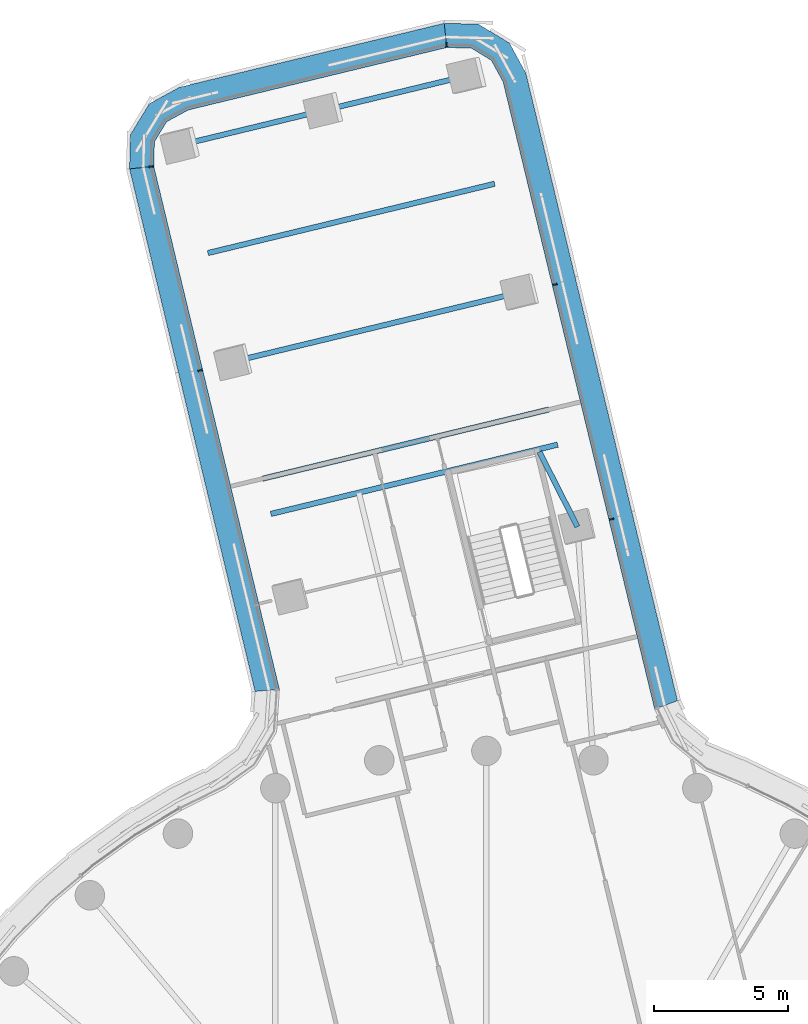
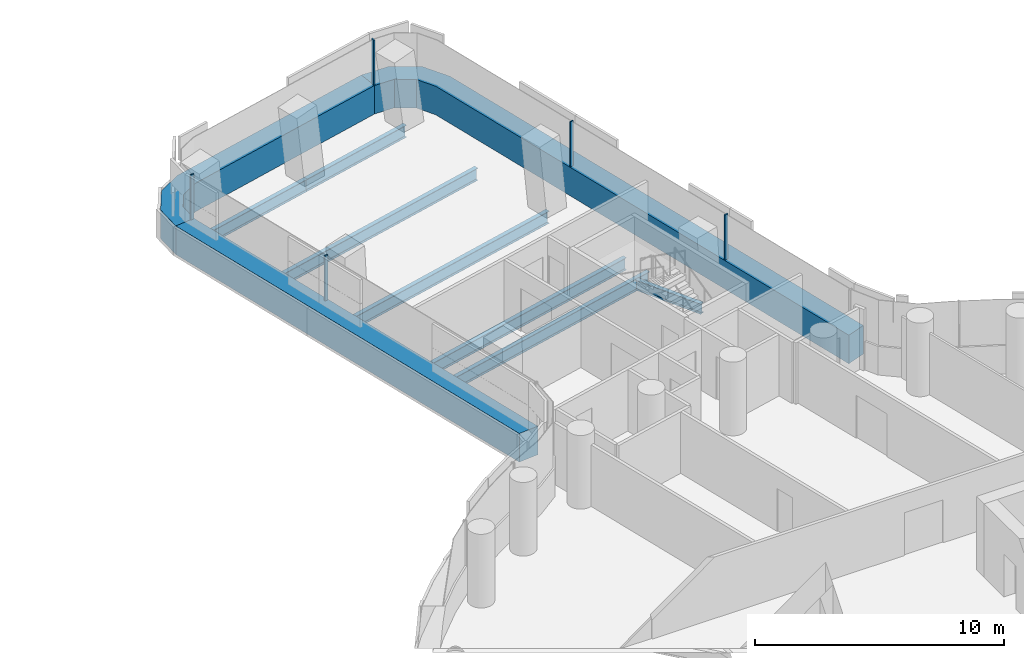
# One storey, part 15 of 33: 8 members, 7 beams, 3 elements without a shape of their own.
"""IFC4 building model written with IfcOpenShell, lengths in metres."""

from ifc_helpers import new_model, si_unit, direction, frame, origin, origin_2d, place, context, subcontext, project, spatial, polyline, rectangle, i_section, outline, extrude, material, layer, layer_set, material_profile, profile_set, type_object, element, aggregate, save


model = new_model("IFC4")

# Units and contexts
model_context = context("Model", 3, precision=1e-05, world=origin(), true_north=direction((0.0, 1.0)))
body_context = subcontext(model_context, "Body", "Model", "MODEL_VIEW")
ifc_project = project(units=[si_unit("LENGTHUNIT", "METRE"), si_unit("AREAUNIT", "SQUARE_METRE"), si_unit("VOLUMEUNIT", "CUBIC_METRE"), si_unit("PLANEANGLEUNIT", "RADIAN"), si_unit("MASSUNIT", "GRAM", prefix="KILO")], contexts=[model_context])

# Site, building, storey
site_placement = place(None, origin())
site = spatial("IfcSite", under=ifc_project, at=site_placement, CompositionType="ELEMENT")
building_placement = place(site_placement, origin())
building = spatial("IfcBuilding", under=site, at=building_placement, Name="Tamarind Cross Interchange Tower", CompositionType="ELEMENT")
storey_placement = place(building_placement, frame((0.0, 0.0, 83.5)))
storey = spatial("IfcBuildingStorey", under=building, at=storey_placement, Name="L19", CompositionType="ELEMENT", Elevation=83.5)

# Beams
ifc_material_1 = material(Name="Steel Q355B", Category="steel")
ifc_material_profile_1 = material_profile(ifc_material_1, i_section(OverallWidth=0.198974609375, OverallDepth=0.49609375, WebThickness=0.009033203125, FlangeThickness=0.013916015625, FilletRadius=0.012939453125, at=origin_2d()), Name="HN 496x199x9x14")
ifc_profile_set_1 = profile_set([ifc_material_profile_1], Name="Steel Q355B")
beam_type_1 = type_object("IfcBeamType", Name="Composite beam HN 496x199x9x14 Q355B", PredefinedType="BEAM", material=ifc_profile_set_1)
beam_placement = place(storey_placement, frame((3.39697265625, 31.359619140625, -0.387939453125), z_axis=(-0.453581930705, 0.891214582543, 0.0), x_axis=(-0.891214582543, -0.453581930705, 0.0)))
element("IfcBeam", 1, at=beam_placement, inside=storey, type_object=beam_type_1, Name="Beam N-tr0", PredefinedType="BEAM", context=body_context, shape_type="SweptSolid", body=[
    extrude(i_section(OverallWidth=0.198974609375, OverallDepth=0.49609375, WebThickness=0.009033203125, FlangeThickness=0.013916015625, FilletRadius=0.012939453125, at=origin_2d()), origin(), (0.0, 0.0, 1.0), 3.137939453125),
])
ifc_material_profile_2 = material_profile(ifc_material_1, i_section(OverallWidth=0.199951171875, OverallDepth=0.60009765625, WebThickness=0.010986328125, FlangeThickness=0.01708984375, FilletRadius=0.012939453125, at=origin_2d()), Name="HN 600x200x11x17")
ifc_profile_set_2 = profile_set([ifc_material_profile_2], Name="Steel Q355B")
beam_type_2 = type_object("IfcBeamType", Name="Composite beam HN 600x200x11x17 Q355B", PredefinedType="BEAM", material=ifc_profile_set_2)
for number, where, z_axis, x_axis, name in (
    (2, (-0.668701171875, 48.187744140625, -0.43994140625), (-0.972038899902, -0.234819882203, 0.0), (0.234819882203, -0.972038899902, 0.0), "Beam N-tip0"),
    (3, (-6.014892578125, 46.896240234375, -0.43994140625), (-0.972028767044, -0.234861823291, 0.0), (0.234861823291, -0.972028767044, 0.0), "Beam N-tip1"),
):
    element("IfcBeam", number, at=place(storey_placement, frame(where, z_axis=z_axis, x_axis=x_axis)), inside=storey, type_object=beam_type_2, Name=name, PredefinedType="BEAM", context=body_context, shape_type="SweptSolid", body=[
        extrude(i_section(OverallWidth=0.199951171875, OverallDepth=0.60009765625, WebThickness=0.010986328125, FlangeThickness=0.01708984375, FilletRadius=0.012939453125, at=origin_2d()), origin(), (0.0, 0.0, 1.0), 5.5),
    ])
for number, where, z_axis, x_axis, name in (
    (4, (2.6572265625, 34.42138671875, -0.43994140625), (-0.972033833672, -0.234840852911, 0.0), (0.234840852911, -0.972033833672, 0.0), "Beam N-x334"),
    (5, (1.283447265625, 40.10791015625, -0.43994140625), (-0.972028767044, -0.234861823291, 0.0), (0.234861823291, -0.972028767044, 0.0), "Beam N-x393"),
    (6, (2.340087890625, 35.733642578125, -0.43994140625), (-0.972033833672, -0.234840852911, 0.0), (0.234840852911, -0.972033833672, 0.0), "Beam N-x348"),
    (7, (0.307373046875, 44.147705078125, -0.43994140625), (-0.972033833672, -0.234840852911, 0.0), (0.234840852911, -0.972033833672, 0.0), "Beam N-x435"),
):
    element("IfcBeam", number, at=place(storey_placement, frame(where, z_axis=z_axis, x_axis=x_axis)), inside=storey, type_object=beam_type_2, Name=name, PredefinedType="BEAM", context=body_context, shape_type="SweptSolid", body=[
        extrude(i_section(OverallWidth=0.199951171875, OverallDepth=0.60009765625, WebThickness=0.010986328125, FlangeThickness=0.01708984375, FilletRadius=0.012939453125, at=origin_2d()), origin(), (0.0, 0.0, 1.0), 11.0),
    ])

# Curtain wall, member
ifc_material_2 = material(Name="Aluminium 6063-T6", Category="aluminium")
ifc_layer = layer(ifc_material_2, 0.159912109375)
ifc_layer_set = layer_set([ifc_layer], Name="Aluminium 6063-T6")
curtain_wall_type = type_object("IfcCurtainWallType", Name="Office curtain wall, 9.0 m bays", PredefinedType="NOTDEFINED", material=ifc_layer_set)
curtain_wall_1_placement = place(storey_placement, origin())
curtain_wall_1 = element("IfcCurtainWall", 8, at=curtain_wall_1_placement, inside=storey, type_object=curtain_wall_type, Name="CWS-L19-00", PredefinedType="NOTDEFINED")
ifc_material_3 = material(Name="Aluminium and insulated spandrel panel", Category="aluminium")
member_type_1 = type_object("IfcMemberType", Name="Floor-edge blade transom", PredefinedType="USERDEFINED", material=ifc_material_3)
member_1_placement = place(storey_placement, origin())
member_1 = element("IfcMember", 9, at=member_1_placement, type_object=member_type_1, Name="CWT-L19-00", ObjectType="TRANSOM", PredefinedType="USERDEFINED", context=body_context, shape_type="SweptSolid", body=[
    extrude(outline(polyline([(-1.474853515625, 49.2275390625), (-11.118408203125, 46.897705078125), (-11.92236328125, 46.459716796875), (-12.378173828125, 45.71337890625), (-12.40087890625, 44.798095703125), (-13.303466796875, 44.702392578125), (-13.27197265625, 45.976806640625), (-12.564697265625, 47.134521484375), (-11.445068359375, 47.74462890625), (-1.571044921875, 50.130126953125), (-1.474853515625, 49.2275390625)])), origin(), (0.0, 0.0, 1.0), 1.39990234375),
])

curtain_wall_2_placement = place(storey_placement, origin())
curtain_wall_2 = element("IfcCurtainWall", 10, at=curtain_wall_2_placement, inside=storey, type_object=curtain_wall_type, Name="CWS-L19-01", PredefinedType="NOTDEFINED")
member_2_placement = place(storey_placement, origin())
member_2 = element("IfcMember", 11, at=member_2_placement, type_object=member_type_1, Name="CWT-L19-01", ObjectType="TRANSOM", PredefinedType="USERDEFINED", context=body_context, shape_type="SweptSolid", body=[
    extrude(outline(polyline([(-12.40087890625, 44.798095703125), (-7.717041015625, 25.29736328125), (-8.6240234375, 25.22021484375), (-13.303466796875, 44.702392578125), (-12.40087890625, 44.798095703125)])), origin(), (0.0, 0.0, 1.0), 1.39990234375),
])

curtain_wall_3_placement = place(storey_placement, origin())
curtain_wall_3 = element("IfcCurtainWall", 12, at=curtain_wall_3_placement, inside=storey, type_object=curtain_wall_type, Name="CWS-L19-15", PredefinedType="NOTDEFINED")
member_3_placement = place(storey_placement, origin())
member_3 = element("IfcMember", 13, at=member_3_placement, type_object=member_type_1, Name="CWT-L19-15", ObjectType="TRANSOM", PredefinedType="USERDEFINED", context=body_context, shape_type="SweptSolid", body=[
    extrude(outline(polyline([(6.2734375, 24.56298828125), (0.62451171875, 47.945068359375), (0.1865234375, 48.7490234375), (-0.559814453125, 49.204833984375), (-1.474853515625, 49.2275390625), (-1.571044921875, 50.130126953125), (-0.29638671875, 50.0986328125), (0.861328125, 49.391357421875), (1.471435546875, 48.271728515625), (7.125244140625, 24.870361328125), (6.2734375, 24.56298828125)])), origin(), (0.0, 0.0, 1.0), 1.39990234375),
])

# Member
ifc_material_profile_3 = material_profile(ifc_material_2, rectangle(XDim=0.06005859375, YDim=0.159912109375, at=origin_2d()), Name="Mullion CW1")
ifc_profile_set_3 = profile_set([ifc_material_profile_3], Name="Aluminium 6063-T6")
member_type_2 = type_object("IfcMemberType", Name="Mullion CW1", PredefinedType="MULLION", material=ifc_profile_set_3)
member_4_placement = place(storey_placement, frame((-1.485595703125, 49.327880859375, 1.39990234375), z_axis=(0.0, 0.0, 1.0), x_axis=(-0.9943705392, -0.105958627638, 0.0)))
member_4 = element("IfcMember", 14, at=member_4_placement, type_object=member_type_2, Name="CWM-L19-00-00", PredefinedType="MULLION", context=body_context, shape_type="SweptSolid", body=[
    extrude(rectangle(XDim=0.06005859375, YDim=0.159912109375, at=origin_2d()), origin(), (0.0, 0.0, 1.0), 2.210205078125),
])

aggregate(curtain_wall_1, [member_4, member_1])

member_5_placement = place(storey_placement, frame((-12.501220703125, 44.787353515625, 1.39990234375), z_axis=(0.0, 0.0, 1.0), x_axis=(0.105294104386, -0.994441125247, 0.0)))
member_5 = element("IfcMember", 15, at=member_5_placement, type_object=member_type_2, Name="CWM-L19-01-00", PredefinedType="MULLION", context=body_context, shape_type="SweptSolid", body=[
    extrude(rectangle(XDim=0.06005859375, YDim=0.159912109375, at=origin_2d()), origin(), (0.0, 0.0, 1.0), 2.210205078125),
])

member_6_placement = place(storey_placement, frame((-10.67626953125, 37.189453125, 1.39990234375), z_axis=(0.0, 0.0, 1.0), x_axis=(0.233544182771, -0.972346190764, 0.0)))
member_6 = element("IfcMember", 16, at=member_6_placement, type_object=member_type_2, Name="CWM-L19-01-01", PredefinedType="MULLION", context=body_context, shape_type="SweptSolid", body=[
    extrude(rectangle(XDim=0.06005859375, YDim=0.159912109375, at=origin_2d()), origin(), (0.0, 0.0, 1.0), 2.210205078125),
])

aggregate(curtain_wall_2, [member_5, member_6, member_2])

member_7_placement = place(storey_placement, frame((4.666015625, 31.642333984375, 1.39990234375), z_axis=(0.0, 0.0, 1.0), x_axis=(-0.234843537027, 0.972033185193, 0.0)))
member_7 = element("IfcMember", 17, at=member_7_placement, type_object=member_type_2, Name="CWM-L19-15-01", PredefinedType="MULLION", context=body_context, shape_type="SweptSolid", body=[
    extrude(rectangle(XDim=0.06005859375, YDim=0.159912109375, at=origin_2d()), origin(), (0.0, 0.0, 1.0), 2.210205078125),
])

member_8_placement = place(storey_placement, frame((2.552978515625, 40.388916015625, 1.39990234375), z_axis=(0.0, 0.0, 1.0), x_axis=(-0.234843537027, 0.972033185193, 0.0)))
member_8 = element("IfcMember", 18, at=member_8_placement, type_object=member_type_2, Name="CWM-L19-15-02", PredefinedType="MULLION", context=body_context, shape_type="SweptSolid", body=[
    extrude(rectangle(XDim=0.06005859375, YDim=0.159912109375, at=origin_2d()), origin(), (0.0, 0.0, 1.0), 2.210205078125),
])

aggregate(curtain_wall_3, [member_7, member_8, member_3])

save(model, "model.ifc")
